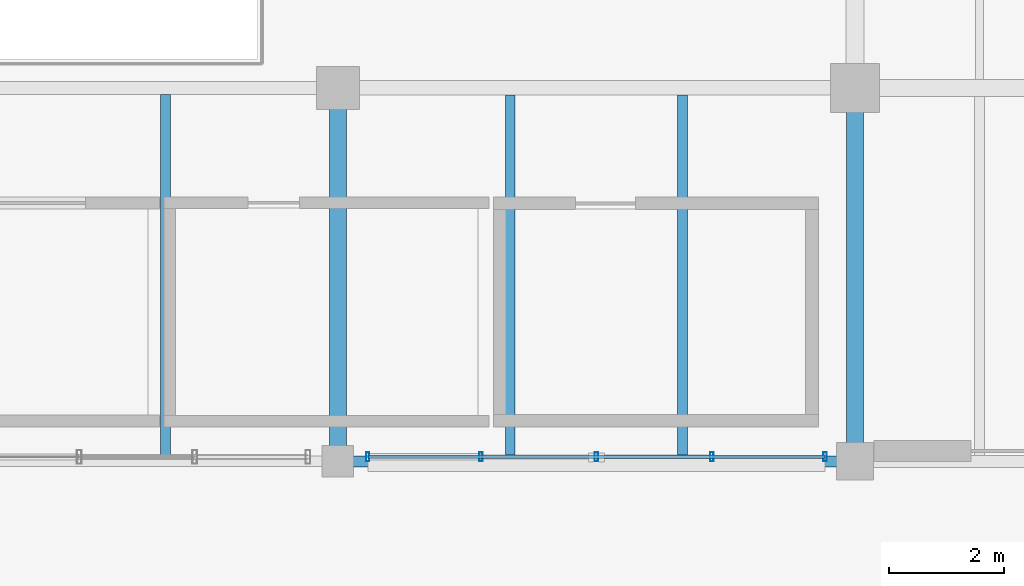
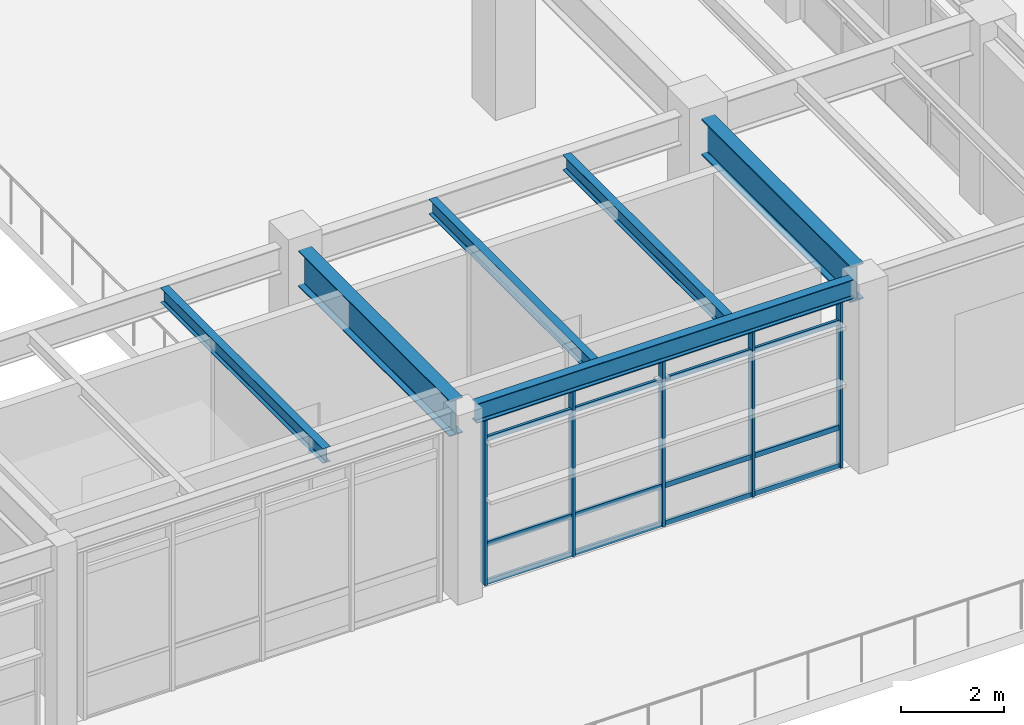
# One storey, part 51 of 200: 9 members, 6 beams, 1 element without a shape of its own.
"""IFC4 building model written with IfcOpenShell, lengths in metres."""

from ifc_helpers import new_model, si_unit, direction, frame, origin, origin_2d, place, context, subcontext, project, spatial, hollow_rectangle, i_section, extrude, material, material_profile, profile_set, type_object, element, aggregate, save


model = new_model("IFC4")

# Units and contexts
model_context = context("Model", 3, precision=1e-05, world=origin(), true_north=direction((0.0, 1.0)))
body_context = subcontext(model_context, "Body", "Model", "MODEL_VIEW")
ifc_project = project(units=[si_unit("LENGTHUNIT", "METRE"), si_unit("AREAUNIT", "SQUARE_METRE"), si_unit("VOLUMEUNIT", "CUBIC_METRE"), si_unit("PLANEANGLEUNIT", "RADIAN"), si_unit("MASSUNIT", "GRAM", prefix="KILO"), si_unit("THERMODYNAMICTEMPERATUREUNIT", "KELVIN"), si_unit("POWERUNIT", "WATT")], contexts=[model_context])

# Site, building, storey
site_placement = place(None, origin())
site = spatial("IfcSite", under=ifc_project, at=site_placement, CompositionType="ELEMENT")
building_placement = place(site_placement, origin())
building = spatial("IfcBuilding", under=site, at=building_placement, Name="Tepalcoro Natatorium and Aquatics Centre", CompositionType="ELEMENT")
storey_placement = place(building_placement, frame((0.0, 0.0, 5.39990234375)))
storey = spatial("IfcBuildingStorey", under=building, at=storey_placement, Name="L01", CompositionType="ELEMENT", Elevation=5.39990234375)

# Beams
ifc_material_1 = material(Name="Steel ASTM A992 Grade 50 (Fy 345 MPa)", Category="steel")
ifc_material_profile_1 = material_profile(ifc_material_1, i_section(OverallWidth=0.2919921875, OverallDepth=0.845947265625, WebThickness=0.014892578125, FlangeThickness=0.02392578125, FilletRadius=0.013916015625, at=origin_2d()), Name="W33X141")
ifc_profile_set_1 = profile_set([ifc_material_profile_1], Name="Steel ASTM A992 Grade 50 (Fy 345 MPa)")
beam_type_1 = type_object("IfcBeamType", Name="BM_W33x141", PredefinedType="BEAM", material=ifc_profile_set_1)
beam_1_placement = place(storey_placement, frame((116.0, 6.760009765625, 4.0419921875), z_axis=(0.0, 1.0, 0.0), x_axis=(-1.0, 0.0, 0.0)))
element("IfcBeam", 1, at=beam_1_placement, inside=storey, type_object=beam_type_1, Name="V1 L01 Grid Girder Y", PredefinedType="BEAM", context=body_context, shape_type="SweptSolid", body=[
    extrude(i_section(OverallWidth=0.2919921875, OverallDepth=0.845947265625, WebThickness=0.014892578125, FlangeThickness=0.02392578125, FilletRadius=0.013916015625, at=origin_2d()), origin(), (0.0, 0.0, 1.0), 5.8798828125),
])
ifc_material_profile_2 = material_profile(ifc_material_1, i_section(OverallWidth=0.2919921875, OverallDepth=0.85888671875, WebThickness=0.01708984375, FlangeThickness=0.031005859375, FilletRadius=0.013916015625, at=origin_2d()), Name="W33X169")
ifc_profile_set_2 = profile_set([ifc_material_profile_2], Name="Steel ASTM A992 Grade 50 (Fy 345 MPa)")
beam_type_2 = type_object("IfcBeamType", Name="BM_W33x169", PredefinedType="BEAM", material=ifc_profile_set_2)
beam_2_placement = place(storey_placement, frame((125.0, 6.81005859375, 4.03564453125), z_axis=(0.0, 1.0, 0.0), x_axis=(-1.0, 0.0, 0.0)))
element("IfcBeam", 2, at=beam_2_placement, inside=storey, type_object=beam_type_2, Name="V1 L01 Grid Girder Y", PredefinedType="BEAM", context=body_context, shape_type="SweptSolid", body=[
    extrude(i_section(OverallWidth=0.2919921875, OverallDepth=0.85888671875, WebThickness=0.01708984375, FlangeThickness=0.031005859375, FilletRadius=0.013916015625, at=origin_2d()), origin(), (0.0, 0.0, 1.0), 5.780029296875),
])

# Curtain wall, members
ifc_material_2 = material(Name="Bronze-Anodised Extruded Aluminium Alloy EN AW-6063 T6", Category="aluminium")
curtain_wall_type = type_object("IfcCurtainWallType", Name="CW_LEAN_T2_EW", PredefinedType="USERDEFINED", material=ifc_material_2)
curtain_wall_placement = place(storey_placement, origin())
curtain_wall = element("IfcCurtainWall", 3, at=curtain_wall_placement, inside=storey, type_object=curtain_wall_type, Name="V1 L01 S Unitised Curtain Wall Bay 9", ObjectType="FACETED SOLAR GLAZING", PredefinedType="USERDEFINED")
ifc_material_profile_3 = material_profile(ifc_material_2, hollow_rectangle(XDim=0.06005859375, YDim=0.159912109375, WallThickness=0.00390625, at=origin_2d()), Name="AL60X160X4")
ifc_profile_set_3 = profile_set([ifc_material_profile_3], Name="Bronze-Anodised Extruded Aluminium Alloy EN AW-6063 T6")
member_type_1 = type_object("IfcMemberType", Name="CW_MUL_60x160", PredefinedType="MULLION", material=ifc_profile_set_3)
member_1_placement = place(storey_placement, frame((116.52001953125, 6.580078125, 0.02001953125), z_axis=(0.0, 0.0, 1.0), x_axis=(1.0, 0.0, 0.0)))
member_1 = element("IfcMember", 4, at=member_1_placement, type_object=member_type_1, Name="CW_LEAN_T2_EW Curtain Wall Mullion", PredefinedType="MULLION", context=body_context, shape_type="SweptSolid", body=[
    extrude(hollow_rectangle(XDim=0.06005859375, YDim=0.159912109375, WallThickness=0.00390625, at=origin_2d()), origin(), (0.0, 0.0, 1.0), 3.9501953125),
])
member_2_placement = place(storey_placement, frame((118.489990234375, 6.580078125, 0.02001953125), z_axis=(0.0, 0.0, 1.0), x_axis=(1.0, 0.0, 0.0)))
member_2 = element("IfcMember", 5, at=member_2_placement, type_object=member_type_1, Name="CW_LEAN_T2_EW Curtain Wall Mullion", PredefinedType="MULLION", context=body_context, shape_type="SweptSolid", body=[
    extrude(hollow_rectangle(XDim=0.06005859375, YDim=0.159912109375, WallThickness=0.00390625, at=origin_2d()), origin(), (0.0, 0.0, 1.0), 3.9501953125),
])
member_3_placement = place(storey_placement, frame((120.5, 6.580078125, 0.02001953125), z_axis=(0.0, 0.0, 1.0), x_axis=(1.0, 0.0, 0.0)))
member_3 = element("IfcMember", 6, at=member_3_placement, type_object=member_type_1, Name="CW_LEAN_T2_EW Curtain Wall Mullion", PredefinedType="MULLION", context=body_context, shape_type="SweptSolid", body=[
    extrude(hollow_rectangle(XDim=0.06005859375, YDim=0.159912109375, WallThickness=0.00390625, at=origin_2d()), origin(), (0.0, 0.0, 1.0), 3.9501953125),
])
member_4_placement = place(storey_placement, frame((122.510009765625, 6.580078125, 0.02001953125), z_axis=(0.0, 0.0, 1.0), x_axis=(1.0, 0.0, 0.0)))
member_4 = element("IfcMember", 7, at=member_4_placement, type_object=member_type_1, Name="CW_LEAN_T2_EW Curtain Wall Mullion", PredefinedType="MULLION", context=body_context, shape_type="SweptSolid", body=[
    extrude(hollow_rectangle(XDim=0.06005859375, YDim=0.159912109375, WallThickness=0.00390625, at=origin_2d()), origin(), (0.0, 0.0, 1.0), 3.9501953125),
])
member_5_placement = place(storey_placement, frame((124.47998046875, 6.580078125, 0.02001953125), z_axis=(0.0, 0.0, 1.0), x_axis=(1.0, 0.0, 0.0)))
member_5 = element("IfcMember", 8, at=member_5_placement, type_object=member_type_1, Name="CW_LEAN_T2_EW Curtain Wall Mullion", PredefinedType="MULLION", context=body_context, shape_type="SweptSolid", body=[
    extrude(hollow_rectangle(XDim=0.06005859375, YDim=0.159912109375, WallThickness=0.00390625, at=origin_2d()), origin(), (0.0, 0.0, 1.0), 3.9501953125),
])
ifc_material_profile_4 = material_profile(ifc_material_2, hollow_rectangle(XDim=0.06005859375, YDim=0.1201171875, WallThickness=0.00390625, at=origin_2d()), Name="AL60X120X4")
ifc_profile_set_4 = profile_set([ifc_material_profile_4], Name="Bronze-Anodised Extruded Aluminium Alloy EN AW-6063 T6")
member_type_2 = type_object("IfcMemberType", Name="CW_TRN_60x120", PredefinedType="USERDEFINED", material=ifc_profile_set_4)
member_6_placement = place(storey_placement, frame((116.530029296875, 6.580078125, 0.050048828125), z_axis=(1.0, 0.0, 0.0), x_axis=(0.0, 1.0, 0.0)))
member_6 = element("IfcMember", 9, at=member_6_placement, type_object=member_type_2, Name="CW_LEAN_T2_EW Curtain Wall Transom", ObjectType="TRANSOM", PredefinedType="USERDEFINED", context=body_context, shape_type="SweptSolid", body=[
    extrude(hollow_rectangle(XDim=0.06005859375, YDim=0.1201171875, WallThickness=0.00390625, at=origin_2d()), origin(), (0.0, 0.0, 1.0), 7.93994140625),
])
member_7_placement = place(storey_placement, frame((116.530029296875, 6.580078125, 0.9501953125), z_axis=(1.0, 0.0, 0.0), x_axis=(0.0, 1.0, 0.0)))
member_7 = element("IfcMember", 10, at=member_7_placement, type_object=member_type_2, Name="CW_LEAN_T2_EW Curtain Wall Transom", ObjectType="TRANSOM", PredefinedType="USERDEFINED", context=body_context, shape_type="SweptSolid", body=[
    extrude(hollow_rectangle(XDim=0.06005859375, YDim=0.1201171875, WallThickness=0.00390625, at=origin_2d()), origin(), (0.0, 0.0, 1.0), 7.93994140625),
])
member_8_placement = place(storey_placement, frame((116.530029296875, 6.580078125, 3.440185546875), z_axis=(1.0, 0.0, 0.0), x_axis=(0.0, 1.0, 0.0)))
member_8 = element("IfcMember", 11, at=member_8_placement, type_object=member_type_2, Name="CW_LEAN_T2_EW Curtain Wall Transom", ObjectType="TRANSOM", PredefinedType="USERDEFINED", context=body_context, shape_type="SweptSolid", body=[
    extrude(hollow_rectangle(XDim=0.06005859375, YDim=0.1201171875, WallThickness=0.00390625, at=origin_2d()), origin(), (0.0, 0.0, 1.0), 7.93994140625),
])
member_9_placement = place(storey_placement, frame((116.530029296875, 6.580078125, 3.940185546875), z_axis=(1.0, 0.0, 0.0), x_axis=(0.0, 1.0, 0.0)))
member_9 = element("IfcMember", 12, at=member_9_placement, type_object=member_type_2, Name="CW_LEAN_T2_EW Curtain Wall Transom", ObjectType="TRANSOM", PredefinedType="USERDEFINED", context=body_context, shape_type="SweptSolid", body=[
    extrude(hollow_rectangle(XDim=0.06005859375, YDim=0.1201171875, WallThickness=0.00390625, at=origin_2d()), origin(), (0.0, 0.0, 1.0), 7.93994140625),
])
aggregate(curtain_wall, [member_1, member_2, member_3, member_4, member_5, member_6, member_7, member_8, member_9])

# Beams
ifc_material_profile_5 = material_profile(ifc_material_1, i_section(OverallWidth=0.1708984375, OverallDepth=0.35107421875, WebThickness=0.007080078125, FlangeThickness=0.010009765625, FilletRadius=0.013916015625, at=origin_2d()), Name="W14X30")
ifc_profile_set_5 = profile_set([ifc_material_profile_5], Name="Steel ASTM A992 Grade 50 (Fy 345 MPa)")
beam_type_3 = type_object("IfcBeamType", Name="JS_W14x30", PredefinedType="JOIST", material=ifc_profile_set_5)
beam_3_placement = place(storey_placement, frame((113.0, 6.590087890625, 4.28955078125), z_axis=(0.0, 1.0, 0.0), x_axis=(-1.0, 0.0, 0.0)))
element("IfcBeam", 13, at=beam_3_placement, inside=storey, type_object=beam_type_3, Name="V1 L01 Floor Joist", PredefinedType="JOIST", context=body_context, shape_type="SweptSolid", body=[
    extrude(i_section(OverallWidth=0.1708984375, OverallDepth=0.35107421875, WebThickness=0.007080078125, FlangeThickness=0.010009765625, FilletRadius=0.013916015625, at=origin_2d()), origin(), (0.0, 0.0, 1.0), 6.294921875),
])
beam_4_placement = place(storey_placement, frame((119.0, 6.595458984375, 4.28955078125), z_axis=(0.0, 1.0, 0.0), x_axis=(-1.0, 0.0, 0.0)))
element("IfcBeam", 14, at=beam_4_placement, inside=storey, type_object=beam_type_3, Name="V1 L01 Floor Joist", PredefinedType="JOIST", context=body_context, shape_type="SweptSolid", body=[
    extrude(i_section(OverallWidth=0.1708984375, OverallDepth=0.35107421875, WebThickness=0.007080078125, FlangeThickness=0.010009765625, FilletRadius=0.013916015625, at=origin_2d()), origin(), (0.0, 0.0, 1.0), 6.277587890625),
])
ifc_material_profile_6 = material_profile(ifc_material_1, i_section(OverallWidth=0.172119140625, OverallDepth=0.35791015625, WebThickness=0.008056640625, FlangeThickness=0.012939453125, FilletRadius=0.013916015625, at=origin_2d()), Name="W14X38")
ifc_profile_set_6 = profile_set([ifc_material_profile_6], Name="Steel ASTM A992 Grade 50 (Fy 345 MPa)")
beam_type_4 = type_object("IfcBeamType", Name="JS_W14x38", PredefinedType="JOIST", material=ifc_profile_set_6)
beam_5_placement = place(storey_placement, frame((122.0, 6.595458984375, 4.2861328125), z_axis=(0.0, 1.0, 0.0), x_axis=(-1.0, 0.0, 0.0)))
element("IfcBeam", 15, at=beam_5_placement, inside=storey, type_object=beam_type_4, Name="V1 L01 Floor Joist", PredefinedType="JOIST", context=body_context, shape_type="SweptSolid", body=[
    extrude(i_section(OverallWidth=0.172119140625, OverallDepth=0.35791015625, WebThickness=0.008056640625, FlangeThickness=0.012939453125, FilletRadius=0.013916015625, at=origin_2d()), origin(), (0.0, 0.0, 1.0), 6.277587890625),
])
ifc_material_profile_7 = material_profile(ifc_material_1, i_section(OverallWidth=0.19091796875, OverallDepth=0.4599609375, WebThickness=0.010009765625, FlangeThickness=0.01611328125, FilletRadius=0.013916015625, at=origin_2d()), Name="W18X55")
ifc_profile_set_7 = profile_set([ifc_material_profile_7], Name="Steel ASTM A992 Grade 50 (Fy 345 MPa)")
beam_type_5 = type_object("IfcBeamType", Name="SP_W18x55", PredefinedType="SPANDREL", material=ifc_profile_set_7)
beam_6_placement = place(storey_placement, frame((116.260009765625, 6.5, 4.235107421875), z_axis=(1.0, 0.0, 0.0), x_axis=(0.0, 1.0, 0.0)))
element("IfcBeam", 16, at=beam_6_placement, inside=storey, type_object=beam_type_5, Name="V1 L01 Grid Girder X", PredefinedType="SPANDREL", context=body_context, shape_type="SweptSolid", body=[
    extrude(i_section(OverallWidth=0.19091796875, OverallDepth=0.4599609375, WebThickness=0.010009765625, FlangeThickness=0.01611328125, FilletRadius=0.013916015625, at=origin_2d()), origin(), (0.0, 0.0, 1.0), 8.429931640625),
])

save(model, "model.ifc")
